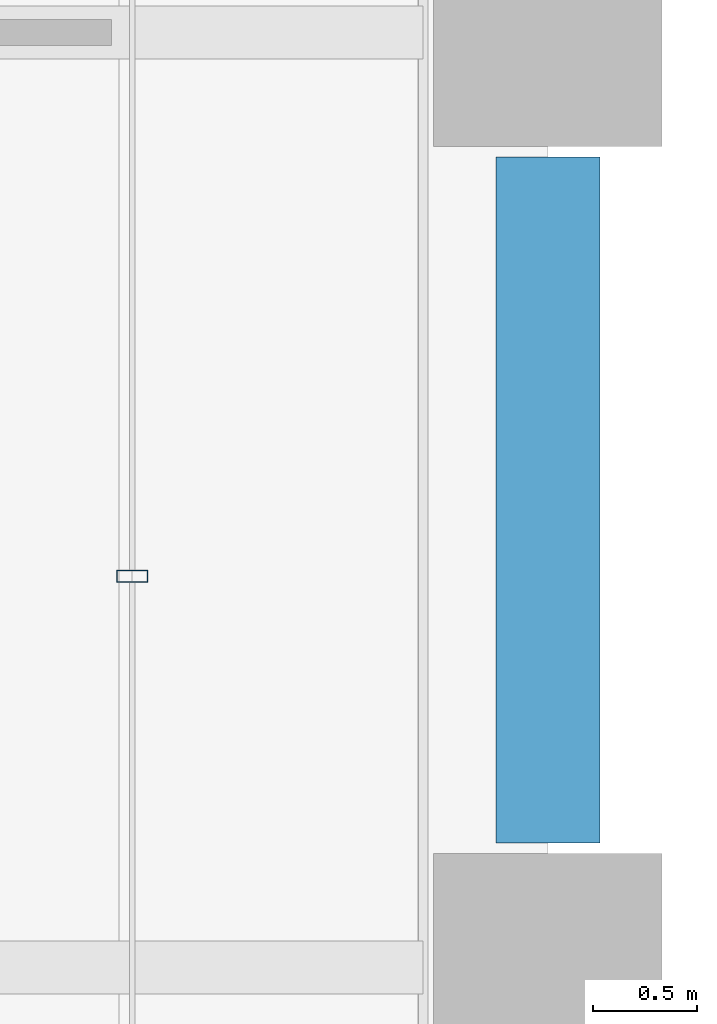
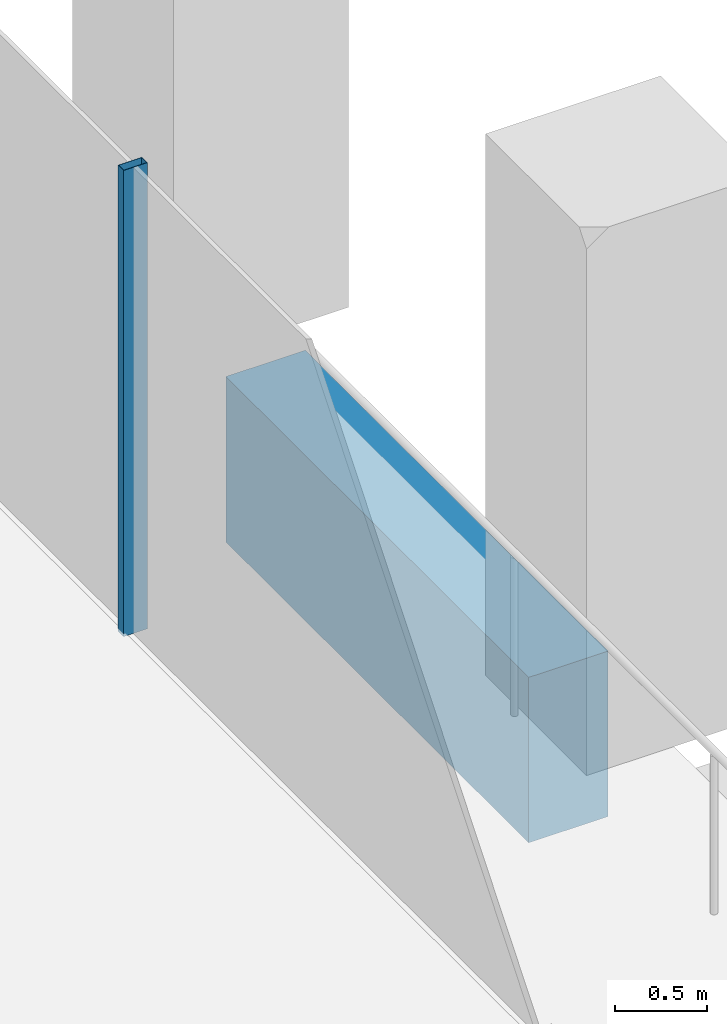
# One storey, part 20 of 55: 1 beam, 1 member, 1 element without a shape of its own.
"""IFC4 building model written with IfcOpenShell, lengths in metres."""

from ifc_helpers import new_model, si_unit, direction, frame, origin, origin_2d, place, context, subcontext, project, spatial, rectangle, hollow_rectangle, extrude, material, material_profile, profile_set, type_object, element, aggregate, save


model = new_model("IFC4")

# Units and contexts
model_context = context("Model", 3, precision=1e-05, world=origin(), true_north=direction((0.0, 1.0)))
body_context = subcontext(model_context, "Body", "Model", "MODEL_VIEW")
ifc_project = project(units=[si_unit("LENGTHUNIT", "METRE"), si_unit("AREAUNIT", "SQUARE_METRE"), si_unit("VOLUMEUNIT", "CUBIC_METRE"), si_unit("PLANEANGLEUNIT", "RADIAN"), si_unit("MASSUNIT", "GRAM", prefix="KILO")], contexts=[model_context])

# Site, building, storey
site_placement = place(None, origin())
site = spatial("IfcSite", under=ifc_project, at=site_placement, CompositionType="ELEMENT")
building_placement = place(site_placement, origin())
building = spatial("IfcBuilding", under=site, at=building_placement, Name="Altepetl Exchange Towers", CompositionType="ELEMENT")
storey_placement = place(building_placement, frame((0.0, 0.0, 47.39990234375)))
storey = spatial("IfcBuildingStorey", under=building, at=storey_placement, Name="L10", CompositionType="ELEMENT", Elevation=47.39990234375)

# Curtain wall, member
ifc_material_1 = material(Name="Aluminium 6063-T6 glazing", Category="aluminium")
curtain_wall_type = type_object("IfcCurtainWallType", Name="Loggia glazing system", PredefinedType="NOTDEFINED", material=ifc_material_1)
curtain_wall_placement = place(storey_placement, origin())
curtain_wall = element("IfcCurtainWall", 1, at=curtain_wall_placement, inside=storey, type_object=curtain_wall_type, Name="CW1 run", PredefinedType="NOTDEFINED")
ifc_material_2 = material(Name="Aluminium 6063-T6", Category="aluminium")
ifc_material_profile_1 = material_profile(ifc_material_2, hollow_rectangle(XDim=0.06005859375, YDim=0.14990234375, WallThickness=0.0029296875, at=origin_2d()), Name="Mullion 60x150 aluminium")
ifc_profile_set_1 = profile_set([ifc_material_profile_1], Name="Aluminium 6063-T6")
member_type = type_object("IfcMemberType", Name="Mullion 60x150 aluminium", PredefinedType="MULLION", material=ifc_profile_set_1)
member_placement = place(storey_placement, frame((70.0, 46.883056640625, 0.0), z_axis=(0.0, 0.0, 1.0), x_axis=(0.0, 1.0, 0.0)))
member = element("IfcMember", 2, at=member_placement, type_object=member_type, Name="MU1 mullion", PredefinedType="MULLION", context=body_context, shape_type="SweptSolid", body=[
    extrude(hollow_rectangle(XDim=0.06005859375, YDim=0.14990234375, WallThickness=0.0029296875, at=origin_2d()), origin(), (0.0, 0.0, 1.0), 3.10009765625),
])
aggregate(curtain_wall, [member])

# Beam
ifc_material_3 = material(Name="Concrete C50/60 precast with cantera amarilla facing", Category="concrete")
ifc_material_profile_2 = material_profile(ifc_material_3, rectangle(XDim=0.5, YDim=1.10009765625, at=origin_2d()), Name="500 x 1100")
ifc_profile_set_2 = profile_set([ifc_material_profile_2], Name="Concrete C50/60 precast with cantera amarilla facing")
beam_type = type_object("IfcBeamType", Name="Spandrel beam 500x1100 cantera amarilla", PredefinedType="SPANDREL", material=ifc_profile_set_2)
beam_placement = place(storey_placement, frame((72.0, 45.60009765625, -0.699951171875), z_axis=(0.0, 1.0, 0.0), x_axis=(-1.0, 0.0, 0.0)))
element("IfcBeam", 3, at=beam_placement, inside=storey, type_object=beam_type, Name="sp:A:L10:015", PredefinedType="SPANDREL", context=body_context, shape_type="SweptSolid", body=[
    extrude(rectangle(XDim=0.5, YDim=1.10009765625, at=origin_2d()), origin(), (0.0, 0.0, 1.0), 3.2998046875),
])

save(model, "model.ifc")
